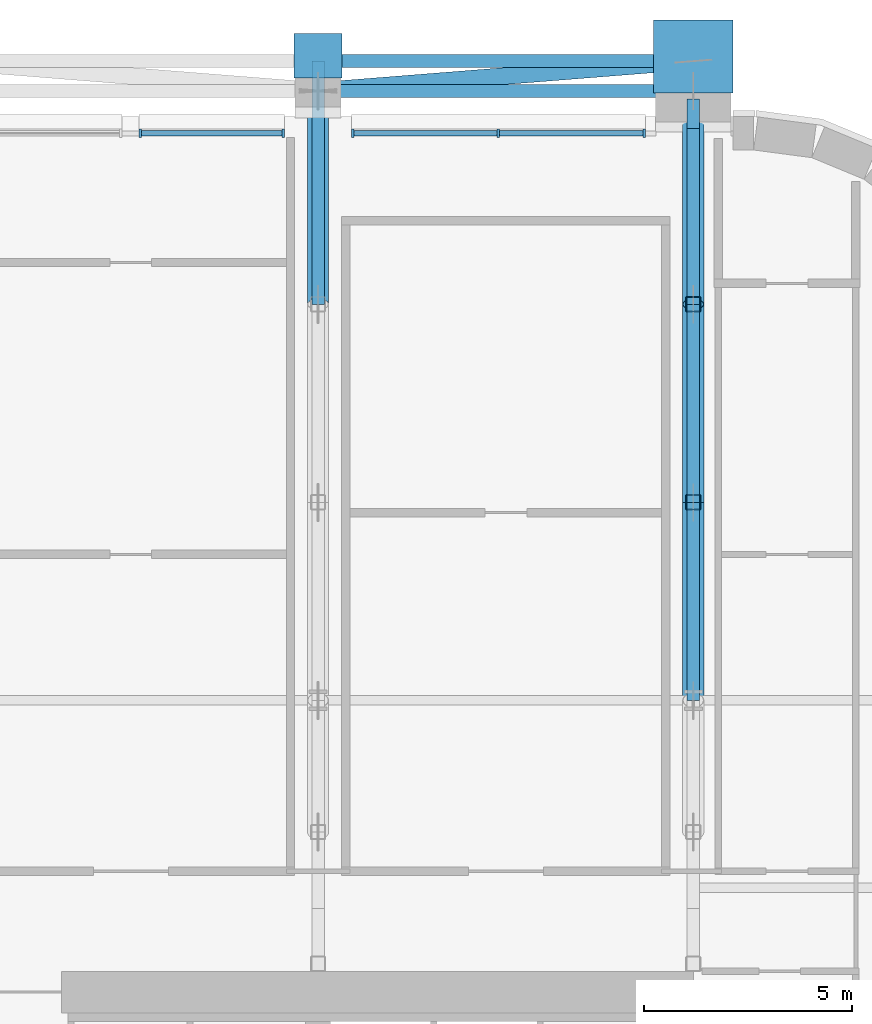
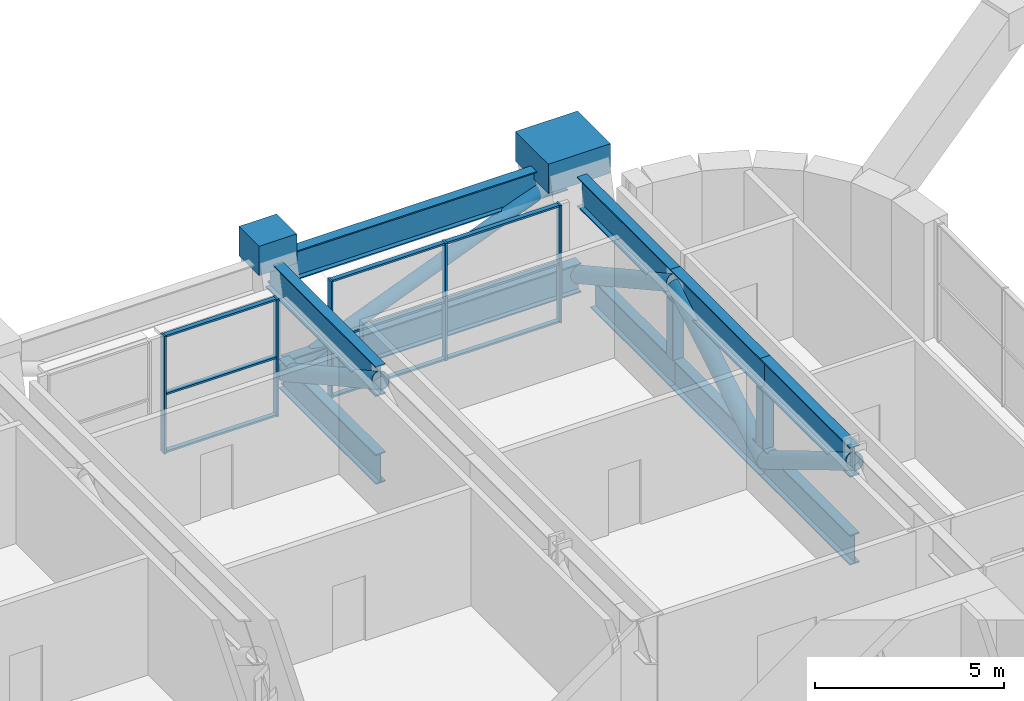
# One storey, part 8 of 27: 31 members, 2 beams, 2 elements without a shape of their own.
"""IFC4 building model written with IfcOpenShell, lengths in metres."""

from ifc_helpers import new_model, si_unit, direction, frame, origin, origin_2d, place, context, subcontext, project, spatial, rectangle, hollow_rectangle, hollow_circle, i_section, extrude, material, material_profile, profile_set, type_object, element, aggregate, save


model = new_model("IFC4")

# Units and contexts
model_context = context("Model", 3, precision=1e-05, world=origin(), true_north=direction((0.0, 1.0)))
body_context = subcontext(model_context, "Body", "Model", "MODEL_VIEW")
ifc_project = project(units=[si_unit("LENGTHUNIT", "METRE"), si_unit("AREAUNIT", "SQUARE_METRE"), si_unit("VOLUMEUNIT", "CUBIC_METRE"), si_unit("PLANEANGLEUNIT", "RADIAN"), si_unit("MASSUNIT", "GRAM", prefix="KILO")], contexts=[model_context])

# Site, building, storey
site_placement = place(None, origin())
site = spatial("IfcSite", under=ifc_project, at=site_placement, CompositionType="ELEMENT")
building_placement = place(site_placement, origin())
building = spatial("IfcBuilding", under=site, at=building_placement, Name="Zellij Exchange Tower", CompositionType="ELEMENT")
storey_placement = place(building_placement, frame((0.0, 0.0, 104.5)))
storey = spatial("IfcBuildingStorey", under=building, at=storey_placement, Name="L22", CompositionType="ELEMENT", Elevation=104.5)

# Curtain wall, members
ifc_material_1 = material(Name="Aluminium frame, clear insulating glass", Category="aluminium")
curtain_wall_type = type_object("IfcCurtainWallType", Name="ENV-CW2 Outrigger-storey glazing", PredefinedType="NOTDEFINED", material=ifc_material_1)
curtain_wall_1_placement = place(storey_placement, origin())
curtain_wall_1 = element("IfcCurtainWall", 1, at=curtain_wall_1_placement, inside=storey, type_object=curtain_wall_type, Name="cw.L22.14b", PredefinedType="NOTDEFINED")
ifc_material_2 = material(Name="Aluminium", Category="aluminium")
ifc_material_profile_1 = material_profile(ifc_material_2, rectangle(XDim=0.06005859375, YDim=0.199951171875, at=origin_2d()), Name="AL 60x200")
ifc_profile_set_1 = profile_set([ifc_material_profile_1], Name="Aluminium")
member_type_1 = type_object("IfcMemberType", Name="ENV-CW2M Mullion 60x200", PredefinedType="MULLION", material=ifc_profile_set_1)
member_1_placement = place(storey_placement, frame((25.820068359375, 18.10009765625, 0.0), z_axis=(0.0, 0.0, 1.0), x_axis=(-1.0, 0.0, 0.0)))
member_1 = element("IfcMember", 2, at=member_1_placement, type_object=member_type_1, Name="CW2 mullion 1", PredefinedType="MULLION", context=body_context, shape_type="SweptSolid", body=[
    extrude(rectangle(XDim=0.06005859375, YDim=0.199951171875, at=origin_2d()), origin(), (0.0, 0.0, 1.0), 3.800048828125),
])
member_2_placement = place(storey_placement, frame((22.324951171875, 18.10009765625, 0.0), z_axis=(0.0, 0.0, 1.0), x_axis=(-1.0, 0.0, 0.0)))
member_2 = element("IfcMember", 3, at=member_2_placement, type_object=member_type_1, Name="CW2 mullion 2", PredefinedType="MULLION", context=body_context, shape_type="SweptSolid", body=[
    extrude(rectangle(XDim=0.06005859375, YDim=0.199951171875, at=origin_2d()), origin(), (0.0, 0.0, 1.0), 3.800048828125),
])
member_3_placement = place(storey_placement, frame((18.830078125, 18.10009765625, 0.0), z_axis=(0.0, 0.0, 1.0), x_axis=(-1.0, 0.0, 0.0)))
member_3 = element("IfcMember", 4, at=member_3_placement, type_object=member_type_1, Name="CW2 mullion 3", PredefinedType="MULLION", context=body_context, shape_type="SweptSolid", body=[
    extrude(rectangle(XDim=0.06005859375, YDim=0.199951171875, at=origin_2d()), origin(), (0.0, 0.0, 1.0), 3.800048828125),
])

curtain_wall_2_placement = place(storey_placement, origin())
curtain_wall_2 = element("IfcCurtainWall", 5, at=curtain_wall_2_placement, inside=storey, type_object=curtain_wall_type, Name="cw.L22.14c", PredefinedType="NOTDEFINED")
member_4_placement = place(storey_placement, frame((17.169921875, 18.10009765625, 0.0), z_axis=(0.0, 0.0, 1.0), x_axis=(-1.0, 0.0, 0.0)))
member_4 = element("IfcMember", 6, at=member_4_placement, type_object=member_type_1, Name="CW2 mullion 1", PredefinedType="MULLION", context=body_context, shape_type="SweptSolid", body=[
    extrude(rectangle(XDim=0.06005859375, YDim=0.199951171875, at=origin_2d()), origin(), (0.0, 0.0, 1.0), 3.800048828125),
])
member_5_placement = place(storey_placement, frame((13.72998046875, 18.10009765625, 0.0), z_axis=(0.0, 0.0, 1.0), x_axis=(-1.0, 0.0, 0.0)))
member_5 = element("IfcMember", 7, at=member_5_placement, type_object=member_type_1, Name="CW2 mullion 2", PredefinedType="MULLION", context=body_context, shape_type="SweptSolid", body=[
    extrude(rectangle(XDim=0.06005859375, YDim=0.199951171875, at=origin_2d()), origin(), (0.0, 0.0, 1.0), 3.800048828125),
])

# Member
ifc_material_profile_2 = material_profile(ifc_material_2, rectangle(XDim=0.139892578125, YDim=0.06005859375, at=origin_2d()), Name="AL 140x60")
ifc_profile_set_2 = profile_set([ifc_material_profile_2], Name="Aluminium")
member_type_2 = type_object("IfcMemberType", Name="ENV-CW2T Transom 140x60", PredefinedType="USERDEFINED", material=ifc_profile_set_2)
member_6_placement = place(storey_placement, frame((25.7900390625, 18.10009765625, 0.030029296875), z_axis=(-1.0, 0.0, 0.0), x_axis=(0.0, -1.0, 0.0)))
member_6 = element("IfcMember", 8, at=member_6_placement, type_object=member_type_2, Name="CW2 transom 1.1", ObjectType="TRANSOM", PredefinedType="USERDEFINED", context=body_context, shape_type="SweptSolid", body=[
    extrude(rectangle(XDim=0.139892578125, YDim=0.06005859375, at=origin_2d()), origin(), (0.0, 0.0, 1.0), 3.43505859375),
])

member_7_placement = place(storey_placement, frame((25.7900390625, 18.10009765625, 1.89990234375), z_axis=(-1.0, 0.0, 0.0), x_axis=(0.0, -1.0, 0.0)))
member_7 = element("IfcMember", 9, at=member_7_placement, type_object=member_type_2, Name="CW2 transom 1.2", ObjectType="TRANSOM", PredefinedType="USERDEFINED", context=body_context, shape_type="SweptSolid", body=[
    extrude(rectangle(XDim=0.139892578125, YDim=0.06005859375, at=origin_2d()), origin(), (0.0, 0.0, 1.0), 3.43505859375),
])

member_8_placement = place(storey_placement, frame((25.7900390625, 18.10009765625, 3.77001953125), z_axis=(-1.0, 0.0, 0.0), x_axis=(0.0, -1.0, 0.0)))
member_8 = element("IfcMember", 10, at=member_8_placement, type_object=member_type_2, Name="CW2 transom 1.3", ObjectType="TRANSOM", PredefinedType="USERDEFINED", context=body_context, shape_type="SweptSolid", body=[
    extrude(rectangle(XDim=0.139892578125, YDim=0.06005859375, at=origin_2d()), origin(), (0.0, 0.0, 1.0), 3.43505859375),
])

member_9_placement = place(storey_placement, frame((22.294921875, 18.10009765625, 0.030029296875), z_axis=(-1.0, 0.0, 0.0), x_axis=(0.0, -1.0, 0.0)))
member_9 = element("IfcMember", 11, at=member_9_placement, type_object=member_type_2, Name="CW2 transom 2.1", ObjectType="TRANSOM", PredefinedType="USERDEFINED", context=body_context, shape_type="SweptSolid", body=[
    extrude(rectangle(XDim=0.139892578125, YDim=0.06005859375, at=origin_2d()), origin(), (0.0, 0.0, 1.0), 3.434814453125),
])

member_10_placement = place(storey_placement, frame((22.294921875, 18.10009765625, 1.89990234375), z_axis=(-1.0, 0.0, 0.0), x_axis=(0.0, -1.0, 0.0)))
member_10 = element("IfcMember", 12, at=member_10_placement, type_object=member_type_2, Name="CW2 transom 2.2", ObjectType="TRANSOM", PredefinedType="USERDEFINED", context=body_context, shape_type="SweptSolid", body=[
    extrude(rectangle(XDim=0.139892578125, YDim=0.06005859375, at=origin_2d()), origin(), (0.0, 0.0, 1.0), 3.434814453125),
])

member_11_placement = place(storey_placement, frame((22.294921875, 18.10009765625, 3.77001953125), z_axis=(-1.0, 0.0, 0.0), x_axis=(0.0, -1.0, 0.0)))
member_11 = element("IfcMember", 13, at=member_11_placement, type_object=member_type_2, Name="CW2 transom 2.3", ObjectType="TRANSOM", PredefinedType="USERDEFINED", context=body_context, shape_type="SweptSolid", body=[
    extrude(rectangle(XDim=0.139892578125, YDim=0.06005859375, at=origin_2d()), origin(), (0.0, 0.0, 1.0), 3.434814453125),
])

aggregate(curtain_wall_1, [member_1, member_2, member_3, member_6, member_7, member_8, member_9, member_10, member_11])

member_12_placement = place(storey_placement, frame((17.139892578125, 18.10009765625, 0.030029296875), z_axis=(-1.0, 0.0, 0.0), x_axis=(0.0, -1.0, 0.0)))
member_12 = element("IfcMember", 14, at=member_12_placement, type_object=member_type_2, Name="CW2 transom 1.1", ObjectType="TRANSOM", PredefinedType="USERDEFINED", context=body_context, shape_type="SweptSolid", body=[
    extrude(rectangle(XDim=0.139892578125, YDim=0.06005859375, at=origin_2d()), origin(), (0.0, 0.0, 1.0), 3.3798828125),
])

member_13_placement = place(storey_placement, frame((17.139892578125, 18.10009765625, 1.89990234375), z_axis=(-1.0, 0.0, 0.0), x_axis=(0.0, -1.0, 0.0)))
member_13 = element("IfcMember", 15, at=member_13_placement, type_object=member_type_2, Name="CW2 transom 1.2", ObjectType="TRANSOM", PredefinedType="USERDEFINED", context=body_context, shape_type="SweptSolid", body=[
    extrude(rectangle(XDim=0.139892578125, YDim=0.06005859375, at=origin_2d()), origin(), (0.0, 0.0, 1.0), 3.3798828125),
])

member_14_placement = place(storey_placement, frame((17.139892578125, 18.10009765625, 3.77001953125), z_axis=(-1.0, 0.0, 0.0), x_axis=(0.0, -1.0, 0.0)))
member_14 = element("IfcMember", 16, at=member_14_placement, type_object=member_type_2, Name="CW2 transom 1.3", ObjectType="TRANSOM", PredefinedType="USERDEFINED", context=body_context, shape_type="SweptSolid", body=[
    extrude(rectangle(XDim=0.139892578125, YDim=0.06005859375, at=origin_2d()), origin(), (0.0, 0.0, 1.0), 3.3798828125),
])

aggregate(curtain_wall_2, [member_4, member_5, member_12, member_13, member_14])

# Members
ifc_material_3 = material(Name="Structural steel ASTM A992 Gr 50", Category="steel")
ifc_material_profile_3 = material_profile(ifc_material_3, i_section(OverallWidth=0.307373046875, OverallDepth=0.9423828125, WebThickness=0.022216796875, FlangeThickness=0.039794921875, at=origin_2d()), Name="W36x232")
ifc_profile_set_3 = profile_set([ifc_material_profile_3], Name="Structural steel ASTM A992 Gr 50")
member_type_3 = type_object("IfcMemberType", Name="STR-BELT TRUSS CHORD W36x232", PredefinedType="CHORD", material=ifc_profile_set_3)
for number, where, z_axis, x_axis, name in (
    (17, (18.0, 19.117919921875, 0.47119140625), (1.0, 0.0, 0.0), (0.0, 1.0, 0.0), "BT1"),
    (18, (18.0, 19.832275390625, 3.328857421875), (1.0, 0.0, 0.0), (0.0, 1.0, 0.0), "BT1"),
):
    element("IfcMember", number, at=place(storey_placement, frame(where, z_axis=z_axis, x_axis=x_axis)), inside=storey, type_object=member_type_3, Name=name, PredefinedType="CHORD", context=body_context, shape_type="SweptSolid", body=[
        extrude(i_section(OverallWidth=0.307373046875, OverallDepth=0.9423828125, WebThickness=0.022216796875, FlangeThickness=0.039794921875, at=origin_2d()), origin(), (0.0, 0.0, 1.0), 9.0),
    ])
ifc_material_4 = material(Name="Structural steel ASTM A500 Gr C", Category="steel")
ifc_material_profile_4 = material_profile(ifc_material_4, hollow_circle(Radius=0.203125, WallThickness=0.01171875, at=origin_2d()), Name="STR-BELT TRUSS DIAGONAL HSS16.000x0.500")
ifc_profile_set_4 = profile_set([ifc_material_profile_4], Name="Structural steel ASTM A500 Gr C")
member_type_4 = type_object("IfcMemberType", Name="STR-BELT TRUSS DIAGONAL HSS16.000x0.500", PredefinedType="BRACE", material=ifc_profile_set_4)
member_15_placement = place(storey_placement, frame((18.0, 19.117919921875, 0.47119140625), z_axis=(0.950392591406, 0.075435349459, 0.301767178885), x_axis=(-0.079123978831, 0.996864783195, 0.0)))
element("IfcMember", 19, at=member_15_placement, inside=storey, type_object=member_type_4, Name="BT2", PredefinedType="BRACE", context=body_context, shape_type="SweptSolid", body=[
    extrude(hollow_circle(Radius=0.203125, WallThickness=0.01171875, at=origin_2d()), origin(), (0.0, 0.0, 1.0), 9.4697265625),
])

# Beams
ifc_material_5 = material(Name="Concrete C70/85", Category="concrete")
ifc_material_profile_5 = material_profile(ifc_material_5, rectangle(XDim=1.14990234375, YDim=0.949951171875, at=origin_2d()), Name="STR-KNUCKLE BLOCK RC1150x950 C70/85")
ifc_profile_set_5 = profile_set([ifc_material_profile_5], Name="Concrete C70/85")
beam_type_1 = type_object("IfcBeamType", Name="STR-KNUCKLE BLOCK RC1150x950 C70/85", PredefinedType="BEAM", material=ifc_profile_set_5)
beam_1_placement = place(storey_placement, frame((18.0, 19.43310546875, 4.074951171875), z_axis=(0.0, 1.0, 0.0), x_axis=(-1.0, 0.0, 0.0)))
element("IfcBeam", 20, at=beam_1_placement, inside=storey, type_object=beam_type_1, Name="KB5", PredefinedType="BEAM", context=body_context, shape_type="SweptSolid", body=[
    extrude(rectangle(XDim=1.14990234375, YDim=0.949951171875, at=origin_2d()), origin(), (0.0, 0.0, 1.0), 1.067138671875),
])
ifc_material_profile_6 = material_profile(ifc_material_5, rectangle(XDim=1.89990234375, YDim=0.949951171875, at=origin_2d()), Name="STR-KNUCKLE BLOCK RC1900x950 C70/85")
ifc_profile_set_6 = profile_set([ifc_material_profile_6], Name="Concrete C70/85")
beam_type_2 = type_object("IfcBeamType", Name="STR-KNUCKLE BLOCK RC1900x950 C70/85", PredefinedType="BEAM", material=ifc_profile_set_6)
beam_2_placement = place(storey_placement, frame((27.0, 19.072265625, 3.925048828125), z_axis=(0.0, 1.0, 0.0), x_axis=(-1.0, 0.0, 0.0)))
element("IfcBeam", 21, at=beam_2_placement, inside=storey, type_object=beam_type_2, Name="KB10", PredefinedType="BEAM", context=body_context, shape_type="SweptSolid", body=[
    extrude(rectangle(XDim=1.89990234375, YDim=0.949951171875, at=origin_2d()), origin(), (0.0, 0.0, 1.0), 1.746337890625),
])

# Members
ifc_material_6 = material(Name="Structural steel ASTM A913 Gr 65", Category="steel")
ifc_material_profile_7 = material_profile(ifc_material_6, i_section(OverallWidth=0.2998046875, OverallDepth=0.965087890625, WebThickness=0.01904296875, FlangeThickness=0.0361328125, at=origin_2d()), Name="W40x249")
ifc_profile_set_7 = profile_set([ifc_material_profile_7], Name="Structural steel ASTM A913 Gr 65")
member_type_5 = type_object("IfcMemberType", Name="STR-OUTRIGGER TRUSS CHORD W40x249", PredefinedType="CHORD", material=ifc_profile_set_7)
member_16_placement = place(storey_placement, frame((18.0, 14.0, 3.3173828125), z_axis=(0.0, 1.0, 0.0), x_axis=(-1.0, 0.0, 0.0)))
element("IfcMember", 22, at=member_16_placement, inside=storey, type_object=member_type_5, Name="OT1", PredefinedType="CHORD", context=body_context, shape_type="SweptSolid", body=[
    extrude(i_section(OverallWidth=0.2998046875, OverallDepth=0.965087890625, WebThickness=0.01904296875, FlangeThickness=0.0361328125, at=origin_2d()), origin(), (0.0, 0.0, 1.0), 5.829345703125),
])
member_17_placement = place(storey_placement, frame((18.0, 14.0, 0.482666015625), z_axis=(0.0, 1.0, 0.0), x_axis=(-1.0, 0.0, 0.0)))
element("IfcMember", 23, at=member_17_placement, inside=storey, type_object=member_type_5, Name="OT1", PredefinedType="CHORD", context=body_context, shape_type="SweptSolid", body=[
    extrude(i_section(OverallWidth=0.2998046875, OverallDepth=0.965087890625, WebThickness=0.01904296875, FlangeThickness=0.0361328125, at=origin_2d()), origin(), (0.0, 0.0, 1.0), 5.12060546875),
])
for number, where, z_axis, x_axis, name in (
    (24, (27.0, 4.5, 3.3173828125), (0.0, 1.0, 0.0), (-1.0, 0.0, 0.0), "OT1"),
    (25, (27.0, 4.5, 0.482666015625), (0.0, 1.0, 0.0), (-1.0, 0.0, 0.0), "OT1"),
    (26, (27.0, 9.25, 3.3173828125), (0.0, 1.0, 0.0), (-1.0, 0.0, 0.0), "OT1"),
    (27, (27.0, 9.25, 0.482666015625), (0.0, 1.0, 0.0), (-1.0, 0.0, 0.0), "OT1"),
):
    element("IfcMember", number, at=place(storey_placement, frame(where, z_axis=z_axis, x_axis=x_axis)), inside=storey, type_object=member_type_5, Name=name, PredefinedType="CHORD", context=body_context, shape_type="SweptSolid", body=[
        extrude(i_section(OverallWidth=0.2998046875, OverallDepth=0.965087890625, WebThickness=0.01904296875, FlangeThickness=0.0361328125, at=origin_2d()), origin(), (0.0, 0.0, 1.0), 4.75),
    ])
member_18_placement = place(storey_placement, frame((27.0, 14.0, 3.3173828125), z_axis=(0.0, 1.0, 0.0), x_axis=(-1.0, 0.0, 0.0)))
element("IfcMember", 28, at=member_18_placement, inside=storey, type_object=member_type_5, Name="OT1", PredefinedType="CHORD", context=body_context, shape_type="SweptSolid", body=[
    extrude(i_section(OverallWidth=0.2998046875, OverallDepth=0.965087890625, WebThickness=0.01904296875, FlangeThickness=0.0361328125, at=origin_2d()), origin(), (0.0, 0.0, 1.0), 4.929443359375),
])
member_19_placement = place(storey_placement, frame((27.0, 14.0, 0.482666015625), z_axis=(0.0, 1.0, 0.0), x_axis=(-1.0, 0.0, 0.0)))
element("IfcMember", 29, at=member_19_placement, inside=storey, type_object=member_type_5, Name="OT1", PredefinedType="CHORD", context=body_context, shape_type="SweptSolid", body=[
    extrude(i_section(OverallWidth=0.2998046875, OverallDepth=0.965087890625, WebThickness=0.01904296875, FlangeThickness=0.0361328125, at=origin_2d()), origin(), (0.0, 0.0, 1.0), 4.220703125),
])
ifc_material_profile_8 = material_profile(ifc_material_4, hollow_circle(Radius=0.25390625, WallThickness=0.01171875, at=origin_2d()), Name="STR-OUTRIGGER TRUSS DIAGONAL HSS20.000x0.500")
ifc_profile_set_8 = profile_set([ifc_material_profile_8], Name="Structural steel ASTM A500 Gr C")
member_type_6 = type_object("IfcMemberType", Name="STR-OUTRIGGER TRUSS DIAGONAL HSS20.000x0.500", PredefinedType="BRACE", material=ifc_profile_set_8)
member_20_placement = place(storey_placement, frame((18.0, 14.0, 3.3173828125), z_axis=(0.0, 0.874886264276, -0.484328426361), x_axis=(-1.0, 0.0, 0.0)))
element("IfcMember", 30, at=member_20_placement, inside=storey, type_object=member_type_6, Name="OT2", PredefinedType="BRACE", context=body_context, shape_type="SweptSolid", body=[
    extrude(hollow_circle(Radius=0.25390625, WallThickness=0.01171875, at=origin_2d()), origin(), (0.0, 0.0, 1.0), 5.852783203125),
])
for number, where, z_axis, x_axis, name in (
    (31, (27.0, 4.5, 3.3173828125), (0.0, 0.858709450823, -0.512462758712), (-1.0, 0.0, 0.0), "OT2"),
    (32, (27.0, 9.25, 0.482666015625), (0.0, 0.858709450823, 0.512462758712), (-1.0, 0.0, 0.0), "OT2"),
):
    element("IfcMember", number, at=place(storey_placement, frame(where, z_axis=z_axis, x_axis=x_axis)), inside=storey, type_object=member_type_6, Name=name, PredefinedType="BRACE", context=body_context, shape_type="SweptSolid", body=[
        extrude(hollow_circle(Radius=0.25390625, WallThickness=0.01171875, at=origin_2d()), origin(), (0.0, 0.0, 1.0), 5.531494140625),
    ])
member_21_placement = place(storey_placement, frame((27.0, 14.0, 3.3173828125), z_axis=(0.0, 0.874886264276, -0.484328426361), x_axis=(-1.0, 0.0, 0.0)))
element("IfcMember", 33, at=member_21_placement, inside=storey, type_object=member_type_6, Name="OT2", PredefinedType="BRACE", context=body_context, shape_type="SweptSolid", body=[
    extrude(hollow_circle(Radius=0.25390625, WallThickness=0.01171875, at=origin_2d()), origin(), (0.0, 0.0, 1.0), 5.852783203125),
])
ifc_material_profile_9 = material_profile(ifc_material_4, hollow_rectangle(XDim=0.355712890625, YDim=0.355712890625, WallThickness=0.01171875, InnerFilletRadius=0.01171875, OuterFilletRadius=0.023681640625, at=origin_2d()), Name="STR-OUTRIGGER TRUSS POST HSS14x14x1/2")
ifc_profile_set_9 = profile_set([ifc_material_profile_9], Name="Structural steel ASTM A500 Gr C")
member_type_7 = type_object("IfcMemberType", Name="STR-OUTRIGGER TRUSS POST HSS14x14x1/2", PredefinedType="POST", material=ifc_profile_set_9)
for number, where, z_axis, x_axis, name in (
    (34, (27.0, 9.25, 0.965087890625), (0.0, 0.0, 1.0), (1.0, 0.0, 0.0), "OT3"),
    (35, (27.0, 14.0, 0.965087890625), (0.0, 0.0, 1.0), (1.0, 0.0, 0.0), "OT3"),
):
    element("IfcMember", number, at=place(storey_placement, frame(where, z_axis=z_axis, x_axis=x_axis)), inside=storey, type_object=member_type_7, Name=name, PredefinedType="POST", context=body_context, shape_type="SweptSolid", body=[
        extrude(hollow_rectangle(XDim=0.355712890625, YDim=0.355712890625, WallThickness=0.01171875, InnerFilletRadius=0.01171875, OuterFilletRadius=0.023681640625, at=origin_2d()), origin(), (0.0, 0.0, 1.0), 1.86962890625),
    ])

save(model, "model.ifc")
